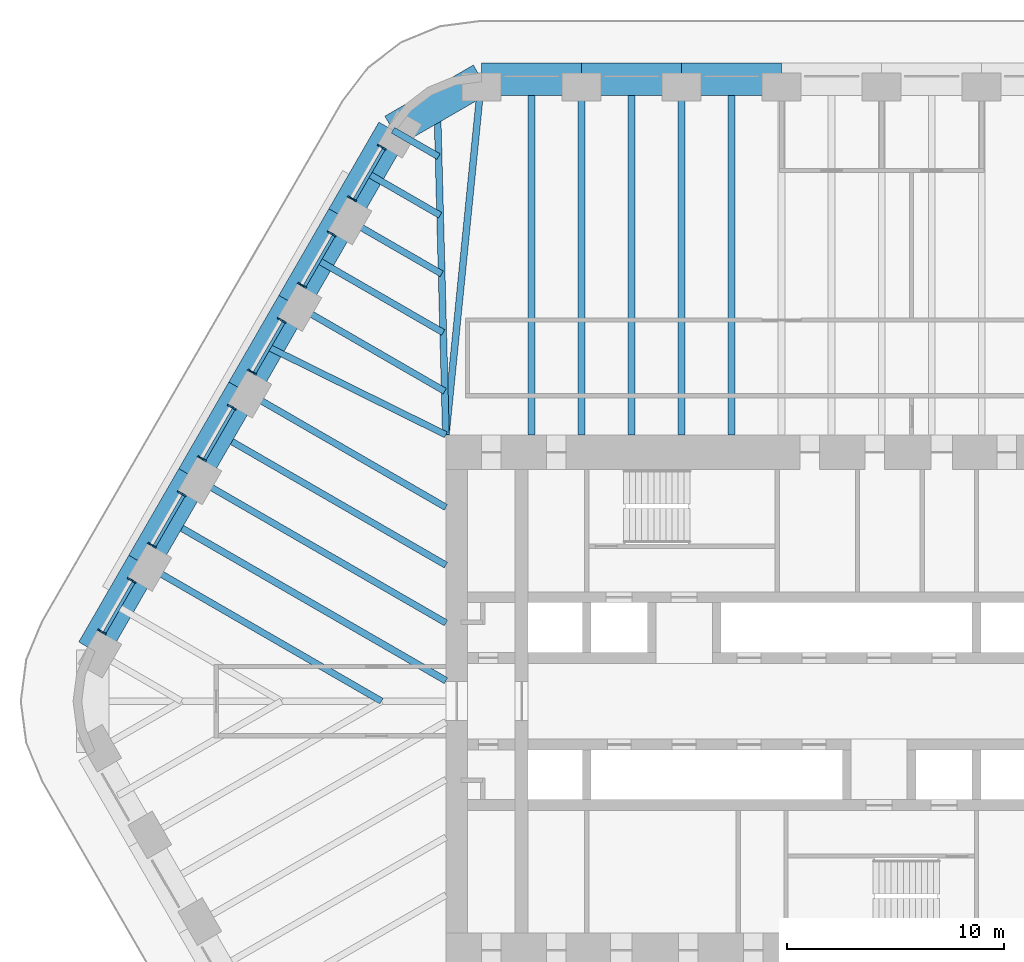
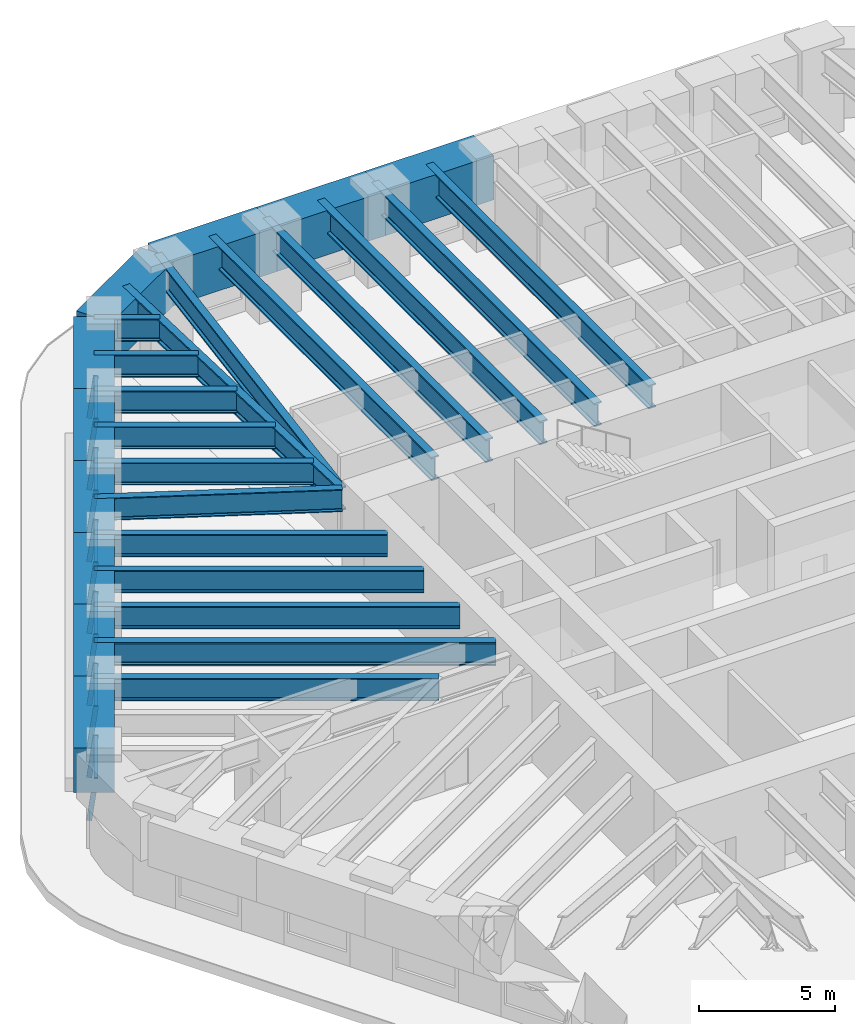
# One storey, part 4 of 12: 28 beams, 18 members, 6 elements without a shape of their own.
"""IFC4 building model written with IfcOpenShell, lengths in metres."""

from ifc_helpers import new_model, si_unit, direction, frame, origin, origin_2d, place, context, subcontext, project, spatial, rectangle, i_section, extrude, material, material_profile, profile_set, type_object, element, aggregate, save


model = new_model("IFC4")

# Units and contexts
model_context = context("Model", 3, precision=1e-05, world=origin(), true_north=direction((0.0, 1.0)))
body_context = subcontext(model_context, "Body", "Model", "MODEL_VIEW")
ifc_project = project(units=[si_unit("LENGTHUNIT", "METRE"), si_unit("AREAUNIT", "SQUARE_METRE"), si_unit("VOLUMEUNIT", "CUBIC_METRE"), si_unit("PLANEANGLEUNIT", "RADIAN"), si_unit("MASSUNIT", "GRAM", prefix="KILO")], contexts=[model_context])

# Site, building, storey
site_placement = place(None, origin())
site = spatial("IfcSite", under=ifc_project, at=site_placement, CompositionType="ELEMENT")
building_placement = place(site_placement, origin())
building = spatial("IfcBuilding", under=site, at=building_placement, Name="Tarfa Lantern Tower", CompositionType="ELEMENT")
storey_placement = place(building_placement, frame((0.0, 0.0, 295.300048828125)))
storey = spatial("IfcBuildingStorey", under=building, at=storey_placement, Name="L67", CompositionType="ELEMENT", Elevation=295.300048828125)

# Curtain wall, members
ifc_material_1 = material(Name="Aluminium framed curtain wall", Category="aluminium")
curtain_wall_type = type_object("IfcCurtainWallType", Name="CW3 CANTED GLAZING HIGH ZONE 1900", PredefinedType="USERDEFINED", material=ifc_material_1)
curtain_wall_1_placement = place(storey_placement, origin())
curtain_wall_1 = element("IfcCurtainWall", 1, at=curtain_wall_1_placement, inside=storey, type_object=curtain_wall_type, Name="CW3 NW L67", ObjectType="CURTAIN WALL", PredefinedType="USERDEFINED")
ifc_material_2 = material(Name="Aluminium mullion", Category="aluminium")
ifc_material_profile_1 = material_profile(ifc_material_2, rectangle(XDim=0.06494140625, YDim=0.199951171875, at=origin_2d()), Name="AL MULLION 65x200")
ifc_profile_set_1 = profile_set([ifc_material_profile_1], Name="Aluminium mullion")
member_type_1 = type_object("IfcMemberType", Name="CWM1 MULLION 65x200", PredefinedType="MULLION", material=ifc_profile_set_1)
member_1_placement = place(storey_placement, frame((-18.566162109375, 25.642333984375, 0.0), z_axis=(0.113006526037, -0.065230373541, 0.991450716597), x_axis=(0.499919672301, 0.866071776036, 0.0)))
member_1 = element("IfcMember", 2, at=member_1_placement, type_object=member_type_1, Name="CW3 mullion 1", PredefinedType="MULLION", context=body_context, shape_type="SweptSolid", body=[
    extrude(rectangle(XDim=0.06494140625, YDim=0.199951171875, at=origin_2d()), origin(), (0.0, 0.0, 1.0), 1.916259765625),
])
member_2_placement = place(storey_placement, frame((-19.943115234375, 23.257568359375, 0.0), z_axis=(0.113006526037, -0.065230373541, 0.991450716597), x_axis=(0.499919672301, 0.866071776036, 0.0)))
member_2 = element("IfcMember", 3, at=member_2_placement, type_object=member_type_1, Name="CW3 mullion 2", PredefinedType="MULLION", context=body_context, shape_type="SweptSolid", body=[
    extrude(rectangle(XDim=0.06494140625, YDim=0.199951171875, at=origin_2d()), origin(), (0.0, 0.0, 1.0), 1.916259765625),
])

curtain_wall_2_placement = place(storey_placement, origin())
curtain_wall_2 = element("IfcCurtainWall", 4, at=curtain_wall_2_placement, inside=storey, type_object=curtain_wall_type, Name="CW3 NW L67", ObjectType="CURTAIN WALL", PredefinedType="USERDEFINED")
member_3_placement = place(storey_placement, frame((-20.87548828125, 21.642333984375, 0.0), z_axis=(0.112880747246, -0.065231312178, 0.99146498315), x_axis=(0.500342721131, 0.865827443207, 0.0)))
member_3 = element("IfcMember", 5, at=member_3_placement, type_object=member_type_1, Name="CW3 mullion 1", PredefinedType="MULLION", context=body_context, shape_type="SweptSolid", body=[
    extrude(rectangle(XDim=0.06494140625, YDim=0.199951171875, at=origin_2d()), origin(), (0.0, 0.0, 1.0), 1.916259765625),
])
member_4_placement = place(storey_placement, frame((-22.25244140625, 19.257568359375, 0.0), z_axis=(0.113006526037, -0.065230373541, 0.991450716597), x_axis=(0.499919672301, 0.866071776036, 0.0)))
member_4 = element("IfcMember", 6, at=member_4_placement, type_object=member_type_1, Name="CW3 mullion 2", PredefinedType="MULLION", context=body_context, shape_type="SweptSolid", body=[
    extrude(rectangle(XDim=0.06494140625, YDim=0.199951171875, at=origin_2d()), origin(), (0.0, 0.0, 1.0), 1.916259765625),
])

curtain_wall_3_placement = place(storey_placement, origin())
curtain_wall_3 = element("IfcCurtainWall", 7, at=curtain_wall_3_placement, inside=storey, type_object=curtain_wall_type, Name="CW3 NW L67", ObjectType="CURTAIN WALL", PredefinedType="USERDEFINED")
member_5_placement = place(storey_placement, frame((-23.18505859375, 17.642333984375, 0.0), z_axis=(0.113006526037, -0.065230373541, 0.991450716597), x_axis=(0.499919672301, 0.866071776036, 0.0)))
member_5 = element("IfcMember", 8, at=member_5_placement, type_object=member_type_1, Name="CW3 mullion 1", PredefinedType="MULLION", context=body_context, shape_type="SweptSolid", body=[
    extrude(rectangle(XDim=0.06494140625, YDim=0.199951171875, at=origin_2d()), origin(), (0.0, 0.0, 1.0), 1.916259765625),
])
member_6_placement = place(storey_placement, frame((-24.561767578125, 15.257568359375, 0.0), z_axis=(0.112880747246, -0.065231312178, 0.99146498315), x_axis=(0.500342721131, 0.865827443207, 0.0)))
member_6 = element("IfcMember", 9, at=member_6_placement, type_object=member_type_1, Name="CW3 mullion 2", PredefinedType="MULLION", context=body_context, shape_type="SweptSolid", body=[
    extrude(rectangle(XDim=0.06494140625, YDim=0.199951171875, at=origin_2d()), origin(), (0.0, 0.0, 1.0), 1.916259765625),
])

curtain_wall_4_placement = place(storey_placement, origin())
curtain_wall_4 = element("IfcCurtainWall", 10, at=curtain_wall_4_placement, inside=storey, type_object=curtain_wall_type, Name="CW3 NW L67", ObjectType="CURTAIN WALL", PredefinedType="USERDEFINED")
member_7_placement = place(storey_placement, frame((-25.494384765625, 13.642333984375, 0.0), z_axis=(0.113006526037, -0.065230373541, 0.991450716597), x_axis=(0.499919672301, 0.866071776036, 0.0)))
member_7 = element("IfcMember", 11, at=member_7_placement, type_object=member_type_1, Name="CW3 mullion 1", PredefinedType="MULLION", context=body_context, shape_type="SweptSolid", body=[
    extrude(rectangle(XDim=0.06494140625, YDim=0.199951171875, at=origin_2d()), origin(), (0.0, 0.0, 1.0), 1.916259765625),
])
member_8_placement = place(storey_placement, frame((-26.871337890625, 11.257568359375, 0.0), z_axis=(0.113006526037, -0.065230373541, 0.991450716597), x_axis=(0.499919672301, 0.866071776036, 0.0)))
member_8 = element("IfcMember", 12, at=member_8_placement, type_object=member_type_1, Name="CW3 mullion 2", PredefinedType="MULLION", context=body_context, shape_type="SweptSolid", body=[
    extrude(rectangle(XDim=0.06494140625, YDim=0.199951171875, at=origin_2d()), origin(), (0.0, 0.0, 1.0), 1.916259765625),
])

curtain_wall_5_placement = place(storey_placement, origin())
curtain_wall_5 = element("IfcCurtainWall", 13, at=curtain_wall_5_placement, inside=storey, type_object=curtain_wall_type, Name="CW3 NW L67", ObjectType="CURTAIN WALL", PredefinedType="USERDEFINED")
member_9_placement = place(storey_placement, frame((-27.8037109375, 9.642333984375, 0.0), z_axis=(0.113006526037, -0.065230373541, 0.991450716597), x_axis=(0.499919672301, 0.866071776036, 0.0)))
member_9 = element("IfcMember", 14, at=member_9_placement, type_object=member_type_1, Name="CW3 mullion 1", PredefinedType="MULLION", context=body_context, shape_type="SweptSolid", body=[
    extrude(rectangle(XDim=0.06494140625, YDim=0.199951171875, at=origin_2d()), origin(), (0.0, 0.0, 1.0), 1.916259765625),
])
member_10_placement = place(storey_placement, frame((-29.1806640625, 7.257568359375, 0.0), z_axis=(0.113006526037, -0.065230373541, 0.991450716597), x_axis=(0.499919672301, 0.866071776036, 0.0)))
member_10 = element("IfcMember", 15, at=member_10_placement, type_object=member_type_1, Name="CW3 mullion 2", PredefinedType="MULLION", context=body_context, shape_type="SweptSolid", body=[
    extrude(rectangle(XDim=0.06494140625, YDim=0.199951171875, at=origin_2d()), origin(), (0.0, 0.0, 1.0), 1.916259765625),
])

curtain_wall_6_placement = place(storey_placement, origin())
curtain_wall_6 = element("IfcCurtainWall", 16, at=curtain_wall_6_placement, inside=storey, type_object=curtain_wall_type, Name="CW3 NW L67", ObjectType="CURTAIN WALL", PredefinedType="USERDEFINED")
member_11_placement = place(storey_placement, frame((-30.11328125, 5.642333984375, 0.0), z_axis=(0.113006526037, -0.065230373541, 0.991450716597), x_axis=(0.499919672301, 0.866071776036, 0.0)))
member_11 = element("IfcMember", 17, at=member_11_placement, type_object=member_type_1, Name="CW3 mullion 1", PredefinedType="MULLION", context=body_context, shape_type="SweptSolid", body=[
    extrude(rectangle(XDim=0.06494140625, YDim=0.199951171875, at=origin_2d()), origin(), (0.0, 0.0, 1.0), 1.916259765625),
])
member_12_placement = place(storey_placement, frame((-31.489990234375, 3.257568359375, 0.0), z_axis=(0.112880747246, -0.065231312178, 0.99146498315), x_axis=(0.500342721131, 0.865827443207, 0.0)))
member_12 = element("IfcMember", 18, at=member_12_placement, type_object=member_type_1, Name="CW3 mullion 2", PredefinedType="MULLION", context=body_context, shape_type="SweptSolid", body=[
    extrude(rectangle(XDim=0.06494140625, YDim=0.199951171875, at=origin_2d()), origin(), (0.0, 0.0, 1.0), 1.916259765625),
])

# Member
ifc_material_3 = material(Name="Aluminium transom", Category="aluminium")
ifc_material_profile_2 = material_profile(ifc_material_3, rectangle(XDim=0.14990234375, YDim=0.06494140625, at=origin_2d()), Name="AL TRANSOM 150x65")
ifc_profile_set_2 = profile_set([ifc_material_profile_2], Name="Aluminium transom")
member_type_2 = type_object("IfcMemberType", Name="CWT1 TRANSOM 150x65", PredefinedType="USERDEFINED", material=ifc_profile_set_2)
member_13_placement = place(storey_placement, frame((-18.36962890625, 25.491455078125, 1.867431640625), z_axis=(-0.500015875611, -0.866016237802, 0.0), x_axis=(0.866016237802, -0.500015875611, 0.0)))
member_13 = element("IfcMember", 19, at=member_13_placement, type_object=member_type_2, Name="CW3 transom 1.2", ObjectType="TRANSOM", PredefinedType="USERDEFINED", context=body_context, shape_type="SweptSolid", body=[
    extrude(rectangle(XDim=0.14990234375, YDim=0.06494140625, at=origin_2d()), origin(), (0.0, 0.0, 1.0), 2.68896484375),
])

aggregate(curtain_wall_1, [member_1, member_2, member_13])

member_14_placement = place(storey_placement, frame((-20.678955078125, 21.491455078125, 1.867431640625), z_axis=(-0.500015875611, -0.866016237802, 0.0), x_axis=(0.866016237802, -0.500015875611, 0.0)))
member_14 = element("IfcMember", 20, at=member_14_placement, type_object=member_type_2, Name="CW3 transom 1.2", ObjectType="TRANSOM", PredefinedType="USERDEFINED", context=body_context, shape_type="SweptSolid", body=[
    extrude(rectangle(XDim=0.14990234375, YDim=0.06494140625, at=origin_2d()), origin(), (0.0, 0.0, 1.0), 2.68896484375),
])

aggregate(curtain_wall_2, [member_3, member_4, member_14])

member_15_placement = place(storey_placement, frame((-22.988525390625, 17.491455078125, 1.867431640625), z_axis=(-0.499947775101, -0.866055553744, 0.0), x_axis=(0.866055553744, -0.499947775101, 0.0)))
member_15 = element("IfcMember", 21, at=member_15_placement, type_object=member_type_2, Name="CW3 transom 1.2", ObjectType="TRANSOM", PredefinedType="USERDEFINED", context=body_context, shape_type="SweptSolid", body=[
    extrude(rectangle(XDim=0.14990234375, YDim=0.06494140625, at=origin_2d()), origin(), (0.0, 0.0, 1.0), 2.688720703125),
])

aggregate(curtain_wall_3, [member_5, member_6, member_15])

member_16_placement = place(storey_placement, frame((-25.2978515625, 13.491455078125, 1.867431640625), z_axis=(-0.500015875611, -0.866016237802, 0.0), x_axis=(0.866016237802, -0.500015875611, 0.0)))
member_16 = element("IfcMember", 22, at=member_16_placement, type_object=member_type_2, Name="CW3 transom 1.2", ObjectType="TRANSOM", PredefinedType="USERDEFINED", context=body_context, shape_type="SweptSolid", body=[
    extrude(rectangle(XDim=0.14990234375, YDim=0.06494140625, at=origin_2d()), origin(), (0.0, 0.0, 1.0), 2.68896484375),
])

aggregate(curtain_wall_4, [member_7, member_8, member_16])

member_17_placement = place(storey_placement, frame((-27.607177734375, 9.491455078125, 1.867431640625), z_axis=(-0.500015875611, -0.866016237802, 0.0), x_axis=(0.866016237802, -0.500015875611, 0.0)))
member_17 = element("IfcMember", 23, at=member_17_placement, type_object=member_type_2, Name="CW3 transom 1.2", ObjectType="TRANSOM", PredefinedType="USERDEFINED", context=body_context, shape_type="SweptSolid", body=[
    extrude(rectangle(XDim=0.14990234375, YDim=0.06494140625, at=origin_2d()), origin(), (0.0, 0.0, 1.0), 2.68896484375),
])

aggregate(curtain_wall_5, [member_9, member_10, member_17])

member_18_placement = place(storey_placement, frame((-29.916748046875, 5.491455078125, 1.867431640625), z_axis=(-0.499947775101, -0.866055553744, 0.0), x_axis=(0.866055553744, -0.499947775101, 0.0)))
member_18 = element("IfcMember", 24, at=member_18_placement, type_object=member_type_2, Name="CW3 transom 1.2", ObjectType="TRANSOM", PredefinedType="USERDEFINED", context=body_context, shape_type="SweptSolid", body=[
    extrude(rectangle(XDim=0.14990234375, YDim=0.06494140625, at=origin_2d()), origin(), (0.0, 0.0, 1.0), 2.688720703125),
])

aggregate(curtain_wall_6, [member_11, member_12, member_18])

# Beams
ifc_material_4 = material(Name="Concrete C80/95", Category="concrete")
ifc_material_profile_3 = material_profile(ifc_material_4, rectangle(XDim=1.5, YDim=2.0, at=origin_2d()), Name="RC 1500x2000")
ifc_profile_set_3 = profile_set([ifc_material_profile_3], Name="Concrete C80/95")
beam_type_1 = type_object("IfcBeamType", Name="RB3 RC 1500x2000", PredefinedType="BEAM", material=ifc_profile_set_3)
beam_1_placement = place(storey_placement, frame((0.0, 28.719970703125, 2.89990234375), z_axis=(-1.0, 0.0, 0.0), x_axis=(0.0, -1.0, 0.0)))
element("IfcBeam", 25, at=beam_1_placement, inside=storey, type_object=beam_type_1, Name="Edge beam N3", PredefinedType="BEAM", context=body_context, shape_type="SweptSolid", body=[
    extrude(rectangle(XDim=1.5, YDim=2.0, at=origin_2d()), origin(), (0.0, 0.0, 1.0), 4.618896484375),
])
beam_2_placement = place(storey_placement, frame((-4.618896484375, 28.719970703125, 2.89990234375), z_axis=(-1.0, 0.0, 0.0), x_axis=(0.0, -1.0, 0.0)))
element("IfcBeam", 26, at=beam_2_placement, inside=storey, type_object=beam_type_1, Name="Edge beam N4", PredefinedType="BEAM", context=body_context, shape_type="SweptSolid", body=[
    extrude(rectangle(XDim=1.5, YDim=2.0, at=origin_2d()), origin(), (0.0, 0.0, 1.0), 4.61865234375),
])
beam_3_placement = place(storey_placement, frame((-9.237548828125, 28.719970703125, 2.89990234375), z_axis=(-1.0, 0.0, 0.0), x_axis=(0.0, -1.0, 0.0)))
element("IfcBeam", 27, at=beam_3_placement, inside=storey, type_object=beam_type_1, Name="Edge beam N5", PredefinedType="BEAM", context=body_context, shape_type="SweptSolid", body=[
    extrude(rectangle(XDim=1.5, YDim=2.0, at=origin_2d()), origin(), (0.0, 0.0, 1.0), 4.618896484375),
])
beam_4_placement = place(storey_placement, frame((-13.8564453125, 28.719970703125, 2.89990234375), z_axis=(-0.866038294681, -0.499977671647, 0.0), x_axis=(0.499977671647, -0.866038294681, 0.0)))
element("IfcBeam", 28, at=beam_4_placement, inside=storey, type_object=beam_type_1, Name="Edge beam N6", PredefinedType="BEAM", context=body_context, shape_type="SweptSolid", body=[
    extrude(rectangle(XDim=1.5, YDim=2.0, at=origin_2d()), origin(), (0.0, 0.0, 1.0), 4.719970703125),
])
for number, where, z_axis, x_axis, name in (
    (29, (-17.944091796875, 26.360107421875, 2.89990234375), (-0.499987836815, -0.866032426089, 0.0), (0.866032426089, -0.499987836815, 0.0), "Edge beam NW0"),
    (30, (-20.25341796875, 22.360107421875, 2.89990234375), (-0.499987836815, -0.866032426089, 0.0), (0.866032426089, -0.499987836815, 0.0), "Edge beam NW1"),
):
    element("IfcBeam", number, at=place(storey_placement, frame(where, z_axis=z_axis, x_axis=x_axis)), inside=storey, type_object=beam_type_1, Name=name, PredefinedType="BEAM", context=body_context, shape_type="SweptSolid", body=[
        extrude(rectangle(XDim=1.5, YDim=2.0, at=origin_2d()), origin(), (0.0, 0.0, 1.0), 4.61865234375),
    ])
beam_5_placement = place(storey_placement, frame((-22.562744140625, 18.360107421875, 2.89990234375), z_axis=(-0.500027479704, -0.866009537788, 0.0), x_axis=(0.866009537788, -0.500027479704, 0.0)))
element("IfcBeam", 31, at=beam_5_placement, inside=storey, type_object=beam_type_1, Name="Edge beam NW2", PredefinedType="BEAM", context=body_context, shape_type="SweptSolid", body=[
    extrude(rectangle(XDim=1.5, YDim=2.0, at=origin_2d()), origin(), (0.0, 0.0, 1.0), 4.618896484375),
])
for number, where, z_axis, x_axis, name in (
    (32, (-24.872314453125, 14.360107421875, 2.89990234375), (-0.499987836815, -0.866032426089, 0.0), (0.866032426089, -0.499987836815, 0.0), "Edge beam NW3"),
    (33, (-27.181640625, 10.360107421875, 2.89990234375), (-0.499987836815, -0.866032426089, 0.0), (0.866032426089, -0.499987836815, 0.0), "Edge beam NW4"),
):
    element("IfcBeam", number, at=place(storey_placement, frame(where, z_axis=z_axis, x_axis=x_axis)), inside=storey, type_object=beam_type_1, Name=name, PredefinedType="BEAM", context=body_context, shape_type="SweptSolid", body=[
        extrude(rectangle(XDim=1.5, YDim=2.0, at=origin_2d()), origin(), (0.0, 0.0, 1.0), 4.61865234375),
    ])
beam_6_placement = place(storey_placement, frame((-29.490966796875, 6.360107421875, 2.89990234375), z_axis=(-0.500027479704, -0.866009537788, 0.0), x_axis=(0.866009537788, -0.500027479704, 0.0)))
element("IfcBeam", 34, at=beam_6_placement, inside=storey, type_object=beam_type_1, Name="Edge beam NW5", PredefinedType="BEAM", context=body_context, shape_type="SweptSolid", body=[
    extrude(rectangle(XDim=1.5, YDim=2.0, at=origin_2d()), origin(), (0.0, 0.0, 1.0), 4.618896484375),
])
ifc_material_5 = material(Name="Steel S460M", Category="steel")
ifc_material_profile_4 = material_profile(ifc_material_5, i_section(OverallWidth=0.302001953125, OverallDepth=1.008056640625, WebThickness=0.02099609375, FlangeThickness=0.0400390625, FilletRadius=0.030029296875, at=origin_2d()), Name="UB1016x305x349")
ifc_profile_set_4 = profile_set([ifc_material_profile_4], Name="Steel S460M")
beam_type_2 = type_object("IfcBeamType", Name="UB1016x305x349", PredefinedType="BEAM", material=ifc_profile_set_4)
beam_7_placement = place(storey_placement, frame((-17.944091796875, 26.360107421875, 3.39599609375), z_axis=(0.865980009423, -0.5000786171, 0.0), x_axis=(0.5000786171, 0.865980009423, 0.0)))
element("IfcBeam", 35, at=beam_7_placement, inside=storey, type_object=beam_type_2, Name="Floor beam NW0", PredefinedType="BEAM", context=body_context, shape_type="SweptSolid", body=[
    extrude(i_section(OverallWidth=0.302001953125, OverallDepth=1.008056640625, WebThickness=0.02099609375, FlangeThickness=0.0400390625, FilletRadius=0.030029296875, at=origin_2d()), origin(), (0.0, 0.0, 1.0), 2.4326171875),
])
beam_8_placement = place(storey_placement, frame((-20.25341796875, 22.360107421875, 3.39599609375), z_axis=(0.86601951648, -0.500010196972, 0.0), x_axis=(0.500010196972, 0.86601951648, 0.0)))
element("IfcBeam", 36, at=beam_8_placement, inside=storey, type_object=beam_type_2, Name="Floor beam NW1", PredefinedType="BEAM", context=body_context, shape_type="SweptSolid", body=[
    extrude(i_section(OverallWidth=0.302001953125, OverallDepth=1.008056640625, WebThickness=0.02099609375, FlangeThickness=0.0400390625, FilletRadius=0.030029296875, at=origin_2d()), origin(), (0.0, 0.0, 1.0), 5.263671875),
])
beam_9_placement = place(storey_placement, frame((-22.562744140625, 18.360107421875, 3.39599609375), z_axis=(0.866010787764, -0.500025314835, 0.0), x_axis=(0.500025314835, 0.866010787764, 0.0)))
element("IfcBeam", 37, at=beam_9_placement, inside=storey, type_object=beam_type_2, Name="Floor beam NW2", PredefinedType="BEAM", context=body_context, shape_type="SweptSolid", body=[
    extrude(i_section(OverallWidth=0.302001953125, OverallDepth=1.008056640625, WebThickness=0.02099609375, FlangeThickness=0.0400390625, FilletRadius=0.030029296875, at=origin_2d()), origin(), (0.0, 0.0, 1.0), 8.09423828125),
])
beam_10_placement = place(storey_placement, frame((-24.872314453125, 14.360107421875, 3.39599609375), z_axis=(0.8660244219, -0.500001700669, 0.0), x_axis=(0.500001700669, 0.8660244219, 0.0)))
element("IfcBeam", 38, at=beam_10_placement, inside=storey, type_object=beam_type_2, Name="Floor beam NW3", PredefinedType="BEAM", context=body_context, shape_type="SweptSolid", body=[
    extrude(i_section(OverallWidth=0.302001953125, OverallDepth=1.008056640625, WebThickness=0.02099609375, FlangeThickness=0.0400390625, FilletRadius=0.030029296875, at=origin_2d()), origin(), (0.0, 0.0, 1.0), 10.822265625),
])
beam_11_placement = place(storey_placement, frame((-27.181640625, 10.360107421875, 3.39599609375), z_axis=(0.866018002818, -0.500012818631, 0.0), x_axis=(0.500012818631, 0.866018002818, 0.0)))
element("IfcBeam", 39, at=beam_11_placement, inside=storey, type_object=beam_type_2, Name="Floor beam NW4", PredefinedType="BEAM", context=body_context, shape_type="SweptSolid", body=[
    extrude(i_section(OverallWidth=0.302001953125, OverallDepth=1.008056640625, WebThickness=0.02099609375, FlangeThickness=0.0400390625, FilletRadius=0.030029296875, at=origin_2d()), origin(), (0.0, 0.0, 1.0), 13.489013671875),
])
beam_12_placement = place(storey_placement, frame((-29.490966796875, 6.360107421875, 3.39599609375), z_axis=(0.866022258038, -0.500005448553, 0.0), x_axis=(0.500005448553, 0.866022258038, 0.0)))
element("IfcBeam", 40, at=beam_12_placement, inside=storey, type_object=beam_type_2, Name="Floor beam NW5", PredefinedType="BEAM", context=body_context, shape_type="SweptSolid", body=[
    extrude(i_section(OverallWidth=0.302001953125, OverallDepth=1.008056640625, WebThickness=0.02099609375, FlangeThickness=0.0400390625, FilletRadius=0.030029296875, at=origin_2d()), origin(), (0.0, 0.0, 1.0), 12.719970703125),
])
beam_13_placement = place(storey_placement, frame((-19.0986328125, 24.360107421875, 3.39599609375), z_axis=(0.866020765707, -0.500008033299, 0.0), x_axis=(0.500008033299, 0.866020765707, 0.0)))
element("IfcBeam", 41, at=beam_13_placement, inside=storey, type_object=beam_type_2, Name="Floor beam NW0M", PredefinedType="BEAM", context=body_context, shape_type="SweptSolid", body=[
    extrude(i_section(OverallWidth=0.302001953125, OverallDepth=1.008056640625, WebThickness=0.02099609375, FlangeThickness=0.0400390625, FilletRadius=0.030029296875, at=origin_2d()), origin(), (0.0, 0.0, 1.0), 3.84814453125),
])
beam_14_placement = place(storey_placement, frame((-21.408203125, 20.360107421875, 3.39599609375), z_axis=(0.866018796745, -0.500011443554, 0.0), x_axis=(0.500011443554, 0.866018796745, 0.0)))
element("IfcBeam", 42, at=beam_14_placement, inside=storey, type_object=beam_type_2, Name="Floor beam NW1M", PredefinedType="BEAM", context=body_context, shape_type="SweptSolid", body=[
    extrude(i_section(OverallWidth=0.302001953125, OverallDepth=1.008056640625, WebThickness=0.02099609375, FlangeThickness=0.0400390625, FilletRadius=0.030029296875, at=origin_2d()), origin(), (0.0, 0.0, 1.0), 6.678955078125),
])
beam_15_placement = place(storey_placement, frame((-23.717529296875, 16.360107421875, 3.39599609375), z_axis=(0.896542644816, -0.442957431394, 0.0), x_axis=(0.442957431394, 0.896542644816, 0.0)))
element("IfcBeam", 43, at=beam_15_placement, inside=storey, type_object=beam_type_2, Name="Floor beam NW2M", PredefinedType="BEAM", context=body_context, shape_type="SweptSolid", body=[
    extrude(i_section(OverallWidth=0.302001953125, OverallDepth=1.008056640625, WebThickness=0.02099609375, FlangeThickness=0.0400390625, FilletRadius=0.030029296875, at=origin_2d()), origin(), (0.0, 0.0, 1.0), 9.165771484375),
])
beam_16_placement = place(storey_placement, frame((-26.02685546875, 12.360107421875, 3.39599609375), z_axis=(0.866018349627, -0.500012217959, 0.0), x_axis=(0.500012217959, 0.866018349627, 0.0)))
element("IfcBeam", 44, at=beam_16_placement, inside=storey, type_object=beam_type_2, Name="Floor beam NW3M", PredefinedType="BEAM", context=body_context, shape_type="SweptSolid", body=[
    extrude(i_section(OverallWidth=0.302001953125, OverallDepth=1.008056640625, WebThickness=0.02099609375, FlangeThickness=0.0400390625, FilletRadius=0.030029296875, at=origin_2d()), origin(), (0.0, 0.0, 1.0), 12.155517578125),
])
ifc_material_profile_5 = material_profile(ifc_material_5, i_section(OverallWidth=0.314208984375, OverallDepth=1.055908203125, WebThickness=0.035888671875, FlangeThickness=0.06396484375, FilletRadius=0.030029296875, at=origin_2d()), Name="UB1016x305x584")
ifc_profile_set_5 = profile_set([ifc_material_profile_5], Name="Steel S460M")
beam_type_3 = type_object("IfcBeamType", Name="UB1016x305x584", PredefinedType="BEAM", material=ifc_profile_set_5)
beam_17_placement = place(storey_placement, frame((-15.5, 12.300048828125, 3.3720703125), z_axis=(-0.026247301989, 0.999655480222, 0.0), x_axis=(-0.999655480222, -0.026247301989, 0.0)))
element("IfcBeam", 45, at=beam_17_placement, inside=storey, type_object=beam_type_3, Name="Hip girder NW", PredefinedType="BEAM", context=body_context, shape_type="SweptSolid", body=[
    extrude(i_section(OverallWidth=0.314208984375, OverallDepth=1.055908203125, WebThickness=0.035888671875, FlangeThickness=0.06396484375, FilletRadius=0.030029296875, at=origin_2d()), origin(), (0.0, 0.0, 1.0), 15.245361328125),
])
for number, where, z_axis, x_axis, name in (
    (46, (-4.618896484375, 28.719970703125, 3.3720703125), (0.0, -1.0, 0.0), (1.0, 0.0, 0.0), "Floor beam N4"),
    (47, (-9.237548828125, 28.719970703125, 3.3720703125), (0.0, -1.0, 0.0), (1.0, 0.0, 0.0), "Floor beam N5"),
):
    element("IfcBeam", number, at=place(storey_placement, frame(where, z_axis=z_axis, x_axis=x_axis)), inside=storey, type_object=beam_type_3, Name=name, PredefinedType="BEAM", context=body_context, shape_type="SweptSolid", body=[
        extrude(i_section(OverallWidth=0.314208984375, OverallDepth=1.055908203125, WebThickness=0.035888671875, FlangeThickness=0.06396484375, FilletRadius=0.030029296875, at=origin_2d()), origin(), (0.0, 0.0, 1.0), 16.419921875),
    ])
beam_18_placement = place(storey_placement, frame((-13.8564453125, 28.719970703125, 3.3720703125), z_axis=(-0.099597466746, -0.995027810977, 0.0), x_axis=(0.995027810977, -0.099597466746, 0.0)))
element("IfcBeam", 48, at=beam_18_placement, inside=storey, type_object=beam_type_3, Name="Floor beam N6", PredefinedType="BEAM", context=body_context, shape_type="SweptSolid", body=[
    extrude(i_section(OverallWidth=0.314208984375, OverallDepth=1.055908203125, WebThickness=0.035888671875, FlangeThickness=0.06396484375, FilletRadius=0.030029296875, at=origin_2d()), origin(), (0.0, 0.0, 1.0), 16.501953125),
])
for number, where, z_axis, x_axis, name in (
    (49, (-2.309326171875, 28.719970703125, 3.3720703125), (0.0, -1.0, 0.0), (1.0, 0.0, 0.0), "Floor beam N3M"),
    (50, (-6.92822265625, 28.719970703125, 3.3720703125), (0.0, -1.0, 0.0), (1.0, 0.0, 0.0), "Floor beam N4M"),
    (51, (-11.547119140625, 28.719970703125, 3.3720703125), (0.0, -1.0, 0.0), (1.0, 0.0, 0.0), "Floor beam N5M"),
):
    element("IfcBeam", number, at=place(storey_placement, frame(where, z_axis=z_axis, x_axis=x_axis)), inside=storey, type_object=beam_type_3, Name=name, PredefinedType="BEAM", context=body_context, shape_type="SweptSolid", body=[
        extrude(i_section(OverallWidth=0.314208984375, OverallDepth=1.055908203125, WebThickness=0.035888671875, FlangeThickness=0.06396484375, FilletRadius=0.030029296875, at=origin_2d()), origin(), (0.0, 0.0, 1.0), 16.419921875),
    ])
beam_19_placement = place(storey_placement, frame((-28.33642578125, 8.360107421875, 3.3720703125), z_axis=(0.866024850702, -0.500000957966, 0.0), x_axis=(0.500000957966, 0.866024850702, 0.0)))
element("IfcBeam", 52, at=beam_19_placement, inside=storey, type_object=beam_type_3, Name="Floor beam NW4M", PredefinedType="BEAM", context=body_context, shape_type="SweptSolid", body=[
    extrude(i_section(OverallWidth=0.314208984375, OverallDepth=1.055908203125, WebThickness=0.035888671875, FlangeThickness=0.06396484375, FilletRadius=0.030029296875, at=origin_2d()), origin(), (0.0, 0.0, 1.0), 14.822265625),
])

save(model, "model.ifc")
